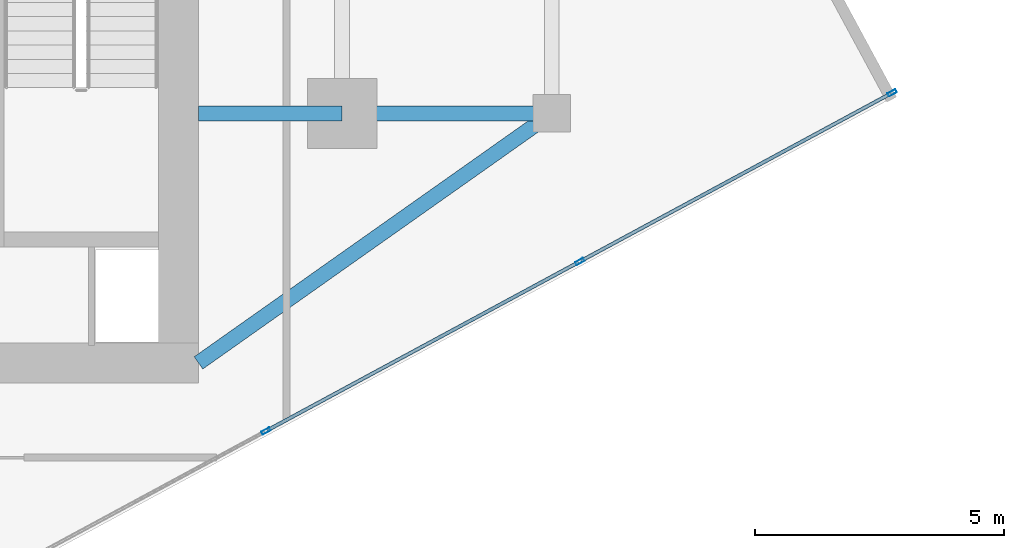
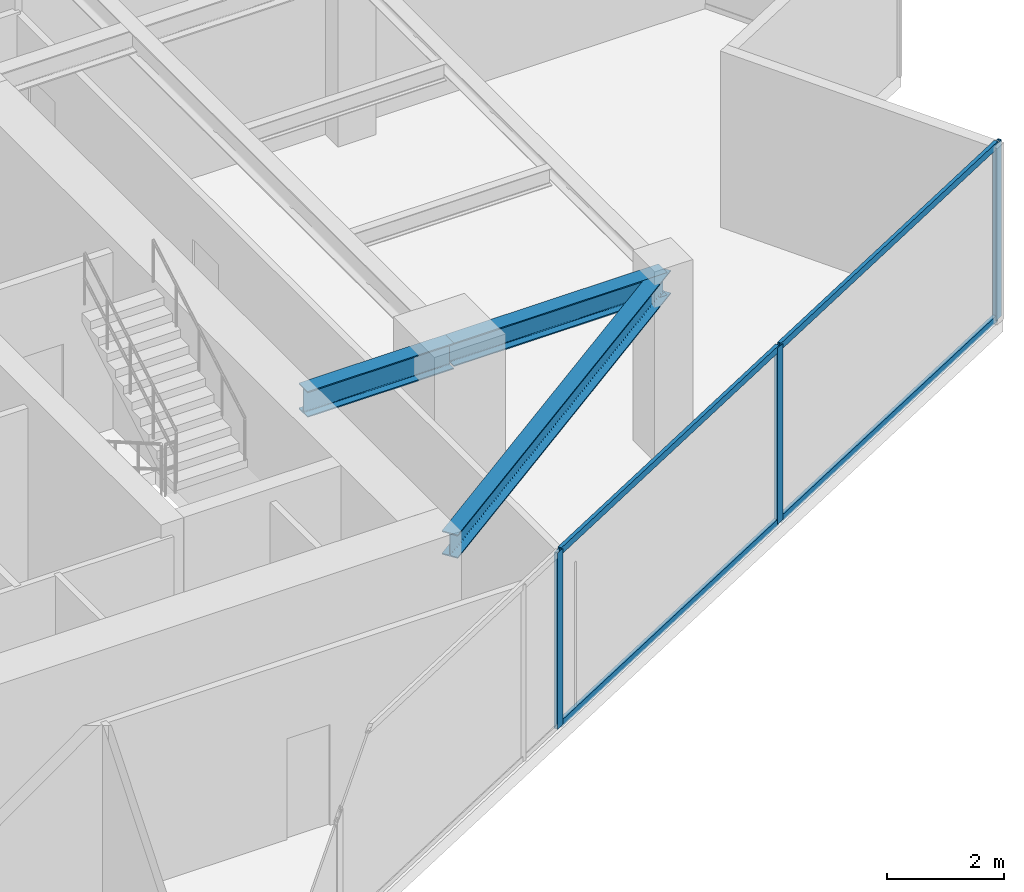
# One storey, part 8 of 22: 7 members, 3 beams, 1 element without a shape of its own.
"""IFC4 building model written with IfcOpenShell, lengths in metres."""

from ifc_helpers import new_model, si_unit, direction, frame, origin, origin_2d, place, context, subcontext, project, spatial, hollow_rectangle, i_section, extrude, source, transform, mapped, material, material_profile, profile_set, type_object, type_shapes, element, aggregate, save


model = new_model("IFC4")

# Units and contexts
model_context = context("Model", 3, precision=1e-05, world=origin(), true_north=direction((0.0, 1.0)))
body_context = subcontext(model_context, "Body", "Model", "MODEL_VIEW")
ifc_project = project(units=[si_unit("LENGTHUNIT", "METRE"), si_unit("AREAUNIT", "SQUARE_METRE"), si_unit("VOLUMEUNIT", "CUBIC_METRE"), si_unit("PLANEANGLEUNIT", "RADIAN"), si_unit("MASSUNIT", "GRAM", prefix="KILO")], contexts=[model_context])

# Site, building, storey
site_placement = place(None, origin())
site = spatial("IfcSite", under=ifc_project, at=site_placement, CompositionType="ELEMENT")
building_placement = place(site_placement, origin())
building = spatial("IfcBuilding", under=site, at=building_placement, Name="Krantzveldt Concourse Tower", CompositionType="ELEMENT")
storey_placement = place(building_placement, frame((0.0, 0.0, 302.949951171875)))
storey = spatial("IfcBuildingStorey", under=building, at=storey_placement, Name="L74", CompositionType="ELEMENT", Elevation=302.949951171875)

# Beams
ifc_material_1 = material(Name="Steel S355JR", Category="steel")
ifc_material_profile_1 = material_profile(ifc_material_1, i_section(OverallWidth=0.300048828125, OverallDepth=0.489990234375, WebThickness=0.011962890625, FlangeThickness=0.02294921875, FilletRadius=0.027099609375, at=origin_2d()), Name="Steel S355JR", Category="steel")
ifc_profile_set_1 = profile_set([ifc_material_profile_1], Name="Steel S355JR - HEA 500")
beam_type_1 = type_object("IfcBeamType", Name="BM-B-HEA500", PredefinedType="BEAM", material=ifc_profile_set_1)
shared_shape_1 = source(origin(), body_context, "Body", "SweptSolid", [
    extrude(i_section(OverallWidth=0.300048828125, OverallDepth=0.489990234375, WebThickness=0.011962890625, FlangeThickness=0.02294921875, FilletRadius=0.027099609375, at=origin_2d()), origin(), (0.0, 0.0, 1.0), 4.199951171875),
])
beam_1_placement = place(storey_placement, frame((46.800048828125, 15.89990234375, 3.425048828125), z_axis=(1.0, 0.0, 0.0), x_axis=(0.0, 1.0, 0.0)))
element("IfcBeam", 1, at=beam_1_placement, inside=storey, type_object=beam_type_1, Name="L74 Tower Girder BR-RR1", PredefinedType="BEAM", context=body_context, shape_type="MappedRepresentation", body=[
    mapped(shared_shape_1, transform((0.0, 0.0, 0.0), x_axis=(1.0, 0.0, 0.0), y_axis=(0.0, 1.0, 0.0), z_axis=(0.0, 0.0, 1.0), scale=1.0)),
])
shared_shape_2 = source(origin(), body_context, "Body", "SweptSolid", [
    extrude(i_section(OverallWidth=0.300048828125, OverallDepth=0.489990234375, WebThickness=0.011962890625, FlangeThickness=0.02294921875, FilletRadius=0.027099609375, at=origin_2d()), origin(), (0.0, 0.0, 1.0), 8.667724609375),
])
type_shapes(beam_type_1, [shared_shape_1, shared_shape_2])
beam_2_placement = place(storey_placement, frame((51.0, 15.89990234375, 3.425048828125), z_axis=(-0.81684294656, -0.576860122261, 0.0), x_axis=(0.576860122261, -0.81684294656, 0.0)))
element("IfcBeam", 2, at=beam_2_placement, inside=storey, type_object=beam_type_1, Name="L74 Tower Girder BR-CSE", PredefinedType="BEAM", context=body_context, shape_type="MappedRepresentation", body=[
    mapped(shared_shape_2, transform((0.0, 0.0, 0.0), x_axis=(1.0, 0.0, 0.0), y_axis=(0.0, 1.0, 0.0), z_axis=(0.0, 0.0, 1.0), scale=1.0)),
])
ifc_material_profile_2 = material_profile(ifc_material_1, i_section(OverallWidth=0.300048828125, OverallDepth=0.5400390625, WebThickness=0.012451171875, FlangeThickness=0.02392578125, FilletRadius=0.027099609375, at=origin_2d()), Name="Steel S355JR", Category="steel")
ifc_profile_set_2 = profile_set([ifc_material_profile_2], Name="Steel S355JR - HEA 550")
beam_type_2 = type_object("IfcBeamType", Name="BM-B-HEA550", PredefinedType="BEAM", material=ifc_profile_set_2)
shared_shape_3 = source(origin(), body_context, "Body", "SweptSolid", [
    extrude(i_section(OverallWidth=0.300048828125, OverallDepth=0.5400390625, WebThickness=0.012451171875, FlangeThickness=0.02392578125, FilletRadius=0.027099609375, at=origin_2d()), origin(), (0.0, 0.0, 1.0), 2.880126953125),
])
type_shapes(beam_type_2, [shared_shape_3])
beam_3_placement = place(storey_placement, frame((43.919921875, 15.89990234375, 3.400146484375), z_axis=(1.0, 0.0, 0.0), x_axis=(0.0, 1.0, 0.0)))
element("IfcBeam", 3, at=beam_3_placement, inside=storey, type_object=beam_type_2, Name="L74 Tower Girder BG-CE1", PredefinedType="BEAM", context=body_context, shape_type="MappedRepresentation", body=[
    mapped(shared_shape_3, transform((0.0, 0.0, 0.0), x_axis=(1.0, 0.0, 0.0), y_axis=(0.0, 1.0, 0.0), z_axis=(0.0, 0.0, 1.0), scale=1.0)),
])

# Curtain wall, members
ifc_material_2 = material(Name="Anodised aluminium 6063-T6", Category="aluminium")
curtain_wall_type = type_object("IfcCurtainWallType", Name="CW4", PredefinedType="USERDEFINED", material=ifc_material_2)
curtain_wall_placement = place(storey_placement, origin())
curtain_wall = element("IfcCurtainWall", 4, at=curtain_wall_placement, inside=storey, type_object=curtain_wall_type, Name="CW-L74-F07", ObjectType="UNITISED CURTAIN WALL", PredefinedType="USERDEFINED")
ifc_material_profile_3 = material_profile(ifc_material_2, hollow_rectangle(XDim=0.070068359375, YDim=0.179931640625, WallThickness=0.0048828125, at=origin_2d()), Name="Anodised aluminium 6063-T6", Category="aluminium")
ifc_profile_set_3 = profile_set([ifc_material_profile_3], Name="Anodised aluminium 6063-T6 - ALU-MULL 180x70x5")
member_type_1 = type_object("IfcMemberType", Name="CW-MUL-180", PredefinedType="MULLION", material=ifc_profile_set_3)
shared_shape_4 = source(origin(), body_context, "Body", "SweptSolid", [
    extrude(hollow_rectangle(XDim=0.070068359375, YDim=0.179931640625, WallThickness=0.0048828125, at=origin_2d()), origin(), (0.0, 0.0, 1.0), 3.670166015625),
])
type_shapes(member_type_1, [shared_shape_4])
member_1_placement = place(storey_placement, frame((45.27197265625, 9.533935546875, 0.0), z_axis=(0.0, 0.0, 1.0), x_axis=(-0.475240271736, 0.87985605875, 0.0)))
member_1 = element("IfcMember", 5, at=member_1_placement, type_object=member_type_1, Name="CW-Z56 mullion 3", PredefinedType="MULLION", context=body_context, shape_type="MappedRepresentation", body=[
    mapped(shared_shape_4, transform((0.0, 0.0, 0.0), x_axis=(1.0, 0.0, 0.0), y_axis=(0.0, 1.0, 0.0), z_axis=(0.0, 0.0, 1.0), scale=1.0)),
])
member_2_placement = place(storey_placement, frame((51.56298828125, 12.931884765625, 0.0), z_axis=(0.0, 0.0, 1.0), x_axis=(-0.475240271736, 0.87985605875, 0.0)))
member_2 = element("IfcMember", 6, at=member_2_placement, type_object=member_type_1, Name="CW-Z56 mullion 4", PredefinedType="MULLION", context=body_context, shape_type="MappedRepresentation", body=[
    mapped(shared_shape_4, transform((0.0, 0.0, 0.0), x_axis=(1.0, 0.0, 0.0), y_axis=(0.0, 1.0, 0.0), z_axis=(0.0, 0.0, 1.0), scale=1.0)),
])
member_3_placement = place(storey_placement, frame((57.822998046875, 16.313232421875, 0.0), z_axis=(0.0, 0.0, 1.0), x_axis=(-0.475240271736, 0.87985605875, 0.0)))
member_3 = element("IfcMember", 7, at=member_3_placement, type_object=member_type_1, Name="CW-Z56 mullion 5", PredefinedType="MULLION", context=body_context, shape_type="MappedRepresentation", body=[
    mapped(shared_shape_4, transform((0.0, 0.0, 0.0), x_axis=(1.0, 0.0, 0.0), y_axis=(0.0, 1.0, 0.0), z_axis=(0.0, 0.0, 1.0), scale=1.0)),
])
ifc_material_profile_4 = material_profile(ifc_material_2, hollow_rectangle(XDim=0.070068359375, YDim=0.139892578125, WallThickness=0.0048828125, at=origin_2d()), Name="Anodised aluminium 6063-T6", Category="aluminium")
ifc_profile_set_4 = profile_set([ifc_material_profile_4], Name="Anodised aluminium 6063-T6 - ALU-TRAN 140x70x5")
member_type_2 = type_object("IfcMemberType", Name="CW-TRN-150", PredefinedType="USERDEFINED", material=ifc_profile_set_4)
shared_shape_5 = source(origin(), body_context, "Body", "SweptSolid", [
    extrude(hollow_rectangle(XDim=0.070068359375, YDim=0.139892578125, WallThickness=0.0048828125, at=origin_2d()), origin(), (0.0, 0.0, 1.0), 7.044921875),
])
member_4_placement = place(storey_placement, frame((51.59375, 12.94873046875, 0.03515625), z_axis=(0.879862796788, 0.475227796776, 0.0), x_axis=(-0.475227796776, 0.879862796788, 0.0)))
member_4 = element("IfcMember", 8, at=member_4_placement, type_object=member_type_2, Name="CW-Z56 transom 4.1", ObjectType="TRANSOM", PredefinedType="USERDEFINED", context=body_context, shape_type="MappedRepresentation", body=[
    mapped(shared_shape_5, transform((0.0, 0.0, 0.0), x_axis=(1.0, 0.0, 0.0), y_axis=(0.0, 1.0, 0.0), z_axis=(0.0, 0.0, 1.0), scale=1.0)),
])
member_5_placement = place(storey_placement, frame((51.59375, 12.94873046875, 3.635009765625), z_axis=(0.879862796788, 0.475227796776, 0.0), x_axis=(-0.475227796776, 0.879862796788, 0.0)))
member_5 = element("IfcMember", 9, at=member_5_placement, type_object=member_type_2, Name="CW-Z56 transom 4.2", ObjectType="TRANSOM", PredefinedType="USERDEFINED", context=body_context, shape_type="MappedRepresentation", body=[
    mapped(shared_shape_5, transform((0.0, 0.0, 0.0), x_axis=(1.0, 0.0, 0.0), y_axis=(0.0, 1.0, 0.0), z_axis=(0.0, 0.0, 1.0), scale=1.0)),
])
shared_shape_6 = source(origin(), body_context, "Body", "SweptSolid", [
    extrude(hollow_rectangle(XDim=0.070068359375, YDim=0.139892578125, WallThickness=0.0048828125, at=origin_2d()), origin(), (0.0, 0.0, 1.0), 7.080078125),
])
type_shapes(member_type_2, [shared_shape_5, shared_shape_6])
member_6_placement = place(storey_placement, frame((45.302734375, 9.550537109375, 0.03515625), z_axis=(0.879856953046, 0.47523861604, 0.0), x_axis=(-0.47523861604, 0.879856953046, 0.0)))
member_6 = element("IfcMember", 10, at=member_6_placement, type_object=member_type_2, Name="CW-Z56 transom 3.1", ObjectType="TRANSOM", PredefinedType="USERDEFINED", context=body_context, shape_type="MappedRepresentation", body=[
    mapped(shared_shape_6, transform((0.0, 0.0, 0.0), x_axis=(1.0, 0.0, 0.0), y_axis=(0.0, 1.0, 0.0), z_axis=(0.0, 0.0, 1.0), scale=1.0)),
])
member_7_placement = place(storey_placement, frame((45.302734375, 9.550537109375, 3.635009765625), z_axis=(0.879856953046, 0.47523861604, 0.0), x_axis=(-0.47523861604, 0.879856953046, 0.0)))
member_7 = element("IfcMember", 11, at=member_7_placement, type_object=member_type_2, Name="CW-Z56 transom 3.2", ObjectType="TRANSOM", PredefinedType="USERDEFINED", context=body_context, shape_type="MappedRepresentation", body=[
    mapped(shared_shape_6, transform((0.0, 0.0, 0.0), x_axis=(1.0, 0.0, 0.0), y_axis=(0.0, 1.0, 0.0), z_axis=(0.0, 0.0, 1.0), scale=1.0)),
])
aggregate(curtain_wall, [member_1, member_2, member_3, member_6, member_7, member_4, member_5])

save(model, "model.ifc")
